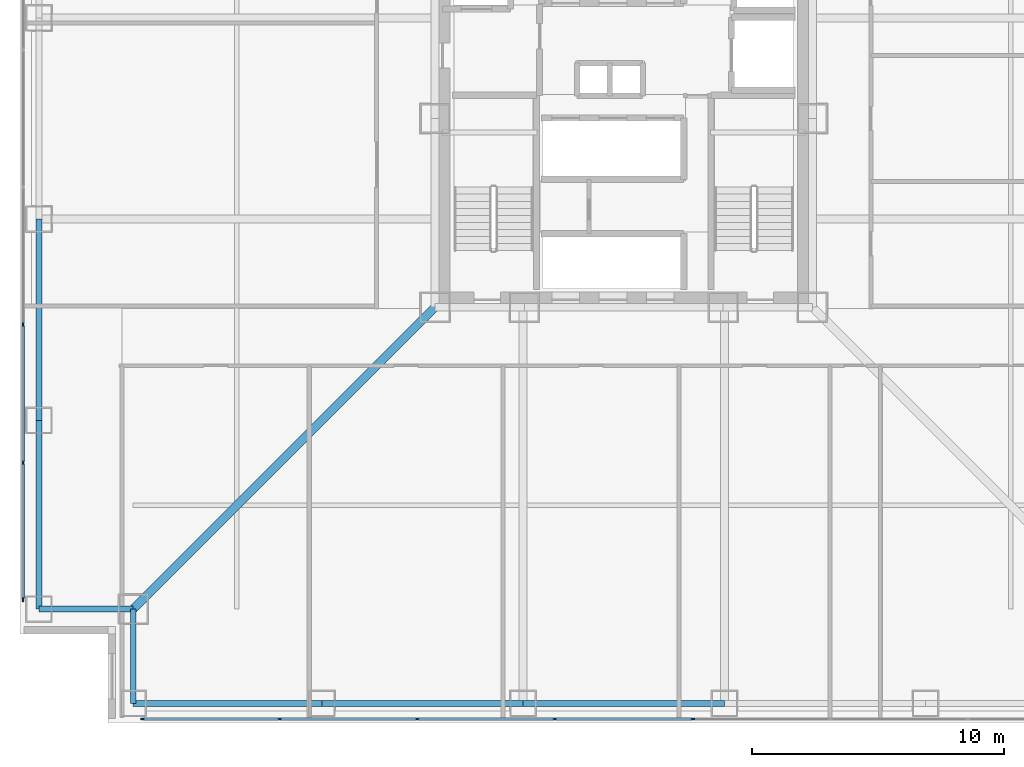
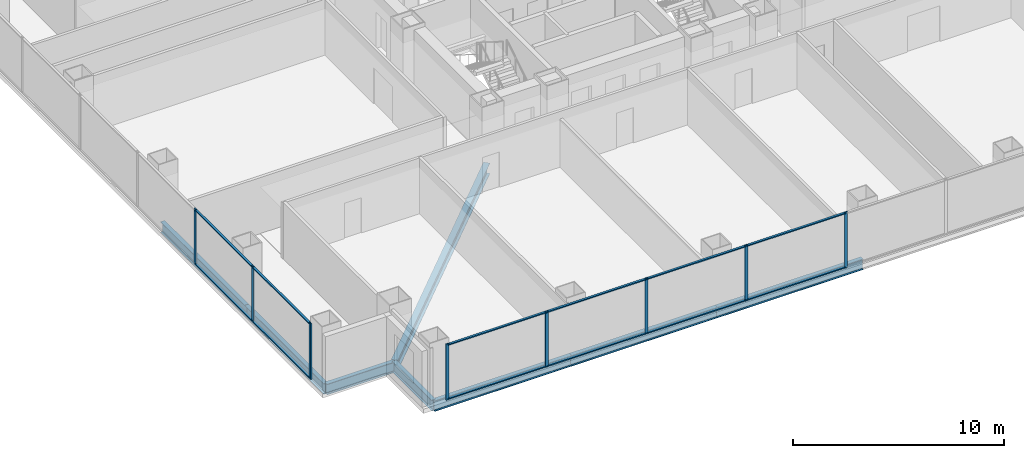
# One storey, part 2 of 19: 20 members, 8 beams, 2 elements without a shape of their own.
"""IFC4 building model written with IfcOpenShell, lengths in metres."""

from ifc_helpers import new_model, si_unit, direction, frame, origin, origin_2d, place, context, subcontext, project, spatial, rectangle, i_section, extrude, material, layer, layer_set, material_profile, profile_set, type_object, element, aggregate, save


model = new_model("IFC4")

# Units and contexts
model_context = context("Model", 3, precision=1e-05, world=origin(), true_north=direction((0.0, 1.0)))
body_context = subcontext(model_context, "Body", "Model", "MODEL_VIEW")
ifc_project = project(units=[si_unit("LENGTHUNIT", "METRE"), si_unit("AREAUNIT", "SQUARE_METRE"), si_unit("VOLUMEUNIT", "CUBIC_METRE"), si_unit("PLANEANGLEUNIT", "RADIAN"), si_unit("MASSUNIT", "GRAM", prefix="KILO")], contexts=[model_context])

# Site, building, storey
site_placement = place(None, origin())
site = spatial("IfcSite", under=ifc_project, at=site_placement, CompositionType="ELEMENT")
building_placement = place(site_placement, origin())
building = spatial("IfcBuilding", under=site, at=building_placement, Name="Trevonay Congress Spire", CompositionType="ELEMENT")
storey_placement = place(building_placement, frame((0.0, 0.0, 41.0)))
storey = spatial("IfcBuildingStorey", under=building, at=storey_placement, Name="L09", CompositionType="ELEMENT", Elevation=41.0)

# Beams
ifc_material_1 = material(Name="Steel ASTM A572 Grade 50", Category="steel")
ifc_material_profile_1 = material_profile(ifc_material_1, i_section(OverallWidth=0.324951171875, OverallDepth=0.615966796875, WebThickness=0.013916015625, FlangeThickness=0.021484375, FilletRadius=0.01806640625, at=origin_2d()), Name="W610x174")
ifc_profile_set_1 = profile_set([ifc_material_profile_1], Name="Steel ASTM A572 Grade 50")
beam_type_1 = type_object("IfcBeamType", Name="BM-GIRD-W610X174", PredefinedType="BEAM", material=ifc_profile_set_1)
beam_placement = place(storey_placement, frame((-7.5, -7.5, -0.55810546875), z_axis=(-0.707106781187, -0.707106781187, 0.0), x_axis=(0.707106781187, -0.707106781187, 0.0)))
element("IfcBeam", 1, at=beam_placement, inside=storey, type_object=beam_type_1, Name="L09 structural beam BM-L09-CDSW", PredefinedType="BEAM", context=body_context, shape_type="SweptSolid", body=[
    extrude(i_section(OverallWidth=0.324951171875, OverallDepth=0.615966796875, WebThickness=0.013916015625, FlangeThickness=0.021484375, FilletRadius=0.01806640625, at=origin_2d()), origin(), (0.0, 0.0, 1.0), 16.970458984375),
])
ifc_material_profile_2 = material_profile(ifc_material_1, i_section(OverallWidth=0.22998046875, OverallDepth=0.616943359375, WebThickness=0.01318359375, FlangeThickness=0.022216796875, FilletRadius=0.01611328125, at=origin_2d()), Name="W610x140")
ifc_profile_set_2 = profile_set([ifc_material_profile_2], Name="Steel ASTM A572 Grade 50")
beam_type_2 = type_object("IfcBeamType", Name="BM-RING-W610X140", PredefinedType="BEAM", material=ifc_profile_set_2)
for number, where, z_axis, x_axis, name in (
    (2, (-19.5, -23.25, -0.55859375), (1.0, 0.0, 0.0), (0.0, 1.0, 0.0), "L09 structural beam BM-L09-PS1"),
    (3, (-23.25, -19.5, -0.55859375), (0.0, 1.0, 0.0), (-1.0, 0.0, 0.0), "L09 structural beam BM-L09-PW1"),
):
    element("IfcBeam", number, at=place(storey_placement, frame(where, z_axis=z_axis, x_axis=x_axis)), inside=storey, type_object=beam_type_2, Name=name, PredefinedType="BEAM", context=body_context, shape_type="SweptSolid", body=[
        extrude(i_section(OverallWidth=0.22998046875, OverallDepth=0.616943359375, WebThickness=0.01318359375, FlangeThickness=0.022216796875, FilletRadius=0.01611328125, at=origin_2d()), origin(), (0.0, 0.0, 1.0), 7.5),
    ])
for number, where, z_axis, x_axis, name in (
    (4, (-12.0, -23.25, -0.55859375), (1.0, 0.0, 0.0), (0.0, 1.0, 0.0), "L09 structural beam BM-L09-PS2"),
    (5, (-23.25, -12.0, -0.55859375), (0.0, 1.0, 0.0), (-1.0, 0.0, 0.0), "L09 structural beam BM-L09-PW2"),
    (6, (-4.0, -23.25, -0.55859375), (1.0, 0.0, 0.0), (0.0, 1.0, 0.0), "L09 structural beam BM-L09-PS3"),
):
    element("IfcBeam", number, at=place(storey_placement, frame(where, z_axis=z_axis, x_axis=x_axis)), inside=storey, type_object=beam_type_2, Name=name, PredefinedType="BEAM", context=body_context, shape_type="SweptSolid", body=[
        extrude(i_section(OverallWidth=0.22998046875, OverallDepth=0.616943359375, WebThickness=0.01318359375, FlangeThickness=0.022216796875, FilletRadius=0.01611328125, at=origin_2d()), origin(), (0.0, 0.0, 1.0), 8.0),
    ])
for number, where, z_axis, x_axis, name in (
    (7, (-19.5, -23.25, -0.55859375), (0.0, 1.0, 0.0), (-1.0, 0.0, 0.0), "L09 structural beam BM-L09-N1SW"),
    (8, (-23.25, -19.5, -0.55859375), (1.0, 0.0, 0.0), (0.0, 1.0, 0.0), "L09 structural beam BM-L09-N2SW"),
):
    element("IfcBeam", number, at=place(storey_placement, frame(where, z_axis=z_axis, x_axis=x_axis)), inside=storey, type_object=beam_type_2, Name=name, PredefinedType="BEAM", context=body_context, shape_type="SweptSolid", body=[
        extrude(i_section(OverallWidth=0.22998046875, OverallDepth=0.616943359375, WebThickness=0.01318359375, FlangeThickness=0.022216796875, FilletRadius=0.01611328125, at=origin_2d()), origin(), (0.0, 0.0, 1.0), 3.75),
    ])

# Curtain wall, members
ifc_material_2 = material(Name="Pale Anodised Aluminium EN AW-6063-T6", Category="aluminium")
ifc_layer = layer(ifc_material_2, 0.179931640625, Name="Pale Anodised Aluminium EN AW-6063-T6")
ifc_layer_set = layer_set([ifc_layer], Name="Pale Anodised Aluminium EN AW-6063-T6")
curtain_wall_type = type_object("IfcCurtainWallType", Name="CW-SYS02-HOTEL-PALE-METAL", PredefinedType="NOTDEFINED", material=ifc_layer_set)
curtain_wall_1_placement = place(storey_placement, origin())
curtain_wall_1 = element("IfcCurtainWall", 9, at=curtain_wall_1_placement, inside=storey, type_object=curtain_wall_type, Name="L09 S unitised curtain wall", PredefinedType="NOTDEFINED")
ifc_material_profile_3 = material_profile(ifc_material_2, rectangle(XDim=0.06005859375, YDim=0.159912109375, at=origin_2d()), Name="CW-MULLION-160-ALUMINIUM")
ifc_profile_set_3 = profile_set([ifc_material_profile_3], Name="Pale Anodised Aluminium EN AW-6063-T6")
member_type_1 = type_object("IfcMemberType", Name="CW-MULLION-160-ALUMINIUM", PredefinedType="MULLION", material=ifc_profile_set_3)
member_1_placement = place(storey_placement, frame((-19.1201171875, -23.8798828125, 0.0), z_axis=(0.0, 0.0, 1.0), x_axis=(0.0, 1.0, 0.0)))
member_1 = element("IfcMember", 10, at=member_1_placement, type_object=member_type_1, Name="CW02 mullion 1", PredefinedType="MULLION", context=body_context, shape_type="SweptSolid", body=[
    extrude(rectangle(XDim=0.06005859375, YDim=0.159912109375, at=origin_2d()), origin(), (0.0, 0.0, 1.0), 3.25),
])
member_2_placement = place(storey_placement, frame((-13.678466796875, -23.8798828125, 0.0), z_axis=(0.0, 0.0, 1.0), x_axis=(0.0, 1.0, 0.0)))
member_2 = element("IfcMember", 11, at=member_2_placement, type_object=member_type_1, Name="CW02 mullion 2", PredefinedType="MULLION", context=body_context, shape_type="SweptSolid", body=[
    extrude(rectangle(XDim=0.06005859375, YDim=0.159912109375, at=origin_2d()), origin(), (0.0, 0.0, 1.0), 3.25),
])
member_3_placement = place(storey_placement, frame((-8.20703125, -23.8798828125, 0.0), z_axis=(0.0, 0.0, 1.0), x_axis=(0.0, 1.0, 0.0)))
member_3 = element("IfcMember", 12, at=member_3_placement, type_object=member_type_1, Name="CW02 mullion 3", PredefinedType="MULLION", context=body_context, shape_type="SweptSolid", body=[
    extrude(rectangle(XDim=0.06005859375, YDim=0.159912109375, at=origin_2d()), origin(), (0.0, 0.0, 1.0), 3.25),
])
member_4_placement = place(storey_placement, frame((-2.735595703125, -23.8798828125, 0.0), z_axis=(0.0, 0.0, 1.0), x_axis=(0.0, 1.0, 0.0)))
member_4 = element("IfcMember", 13, at=member_4_placement, type_object=member_type_1, Name="CW02 mullion 4", PredefinedType="MULLION", context=body_context, shape_type="SweptSolid", body=[
    extrude(rectangle(XDim=0.06005859375, YDim=0.159912109375, at=origin_2d()), origin(), (0.0, 0.0, 1.0), 3.25),
])
member_5_placement = place(storey_placement, frame((2.735595703125, -23.8798828125, 0.0), z_axis=(0.0, 0.0, 1.0), x_axis=(0.0, 1.0, 0.0)))
member_5 = element("IfcMember", 14, at=member_5_placement, type_object=member_type_1, Name="CW02 mullion 5", PredefinedType="MULLION", context=body_context, shape_type="SweptSolid", body=[
    extrude(rectangle(XDim=0.06005859375, YDim=0.159912109375, at=origin_2d()), origin(), (0.0, 0.0, 1.0), 3.25),
])

curtain_wall_2_placement = place(storey_placement, origin())
curtain_wall_2 = element("IfcCurtainWall", 15, at=curtain_wall_2_placement, inside=storey, type_object=curtain_wall_type, Name="L09 W unitised curtain wall", PredefinedType="NOTDEFINED")
member_6_placement = place(storey_placement, frame((-23.8798828125, -19.1201171875, 0.0), z_axis=(0.0, 0.0, 1.0), x_axis=(-1.0, 0.0, 0.0)))
member_6 = element("IfcMember", 16, at=member_6_placement, type_object=member_type_1, Name="CW02 mullion 1", PredefinedType="MULLION", context=body_context, shape_type="SweptSolid", body=[
    extrude(rectangle(XDim=0.06005859375, YDim=0.159912109375, at=origin_2d()), origin(), (0.0, 0.0, 1.0), 3.25),
])
member_7_placement = place(storey_placement, frame((-23.8798828125, -13.678466796875, 0.0), z_axis=(0.0, 0.0, 1.0), x_axis=(-1.0, 0.0, 0.0)))
member_7 = element("IfcMember", 17, at=member_7_placement, type_object=member_type_1, Name="CW02 mullion 2", PredefinedType="MULLION", context=body_context, shape_type="SweptSolid", body=[
    extrude(rectangle(XDim=0.06005859375, YDim=0.159912109375, at=origin_2d()), origin(), (0.0, 0.0, 1.0), 3.25),
])
member_8_placement = place(storey_placement, frame((-23.8798828125, -8.20703125, 0.0), z_axis=(0.0, 0.0, 1.0), x_axis=(-1.0, 0.0, 0.0)))
member_8 = element("IfcMember", 18, at=member_8_placement, type_object=member_type_1, Name="CW02 mullion 3", PredefinedType="MULLION", context=body_context, shape_type="SweptSolid", body=[
    extrude(rectangle(XDim=0.06005859375, YDim=0.159912109375, at=origin_2d()), origin(), (0.0, 0.0, 1.0), 3.25),
])

# Member
ifc_material_profile_4 = material_profile(ifc_material_2, rectangle(XDim=0.1201171875, YDim=0.06005859375, at=origin_2d()), Name="CW-TRANSOM-120-ALUMINIUM")
ifc_profile_set_4 = profile_set([ifc_material_profile_4], Name="Pale Anodised Aluminium EN AW-6063-T6")
member_type_2 = type_object("IfcMemberType", Name="CW-TRANSOM-120-ALUMINIUM", PredefinedType="USERDEFINED", material=ifc_profile_set_4)
member_9_placement = place(storey_placement, frame((-19.090087890625, -23.8798828125, 0.06005859375), z_axis=(1.0, 0.0, 0.0), x_axis=(0.0, 1.0, 0.0)))
member_9 = element("IfcMember", 19, at=member_9_placement, type_object=member_type_2, Name="CW02 transom 1.1", ObjectType="TRANSOM", PredefinedType="USERDEFINED", context=body_context, shape_type="SweptSolid", body=[
    extrude(rectangle(XDim=0.1201171875, YDim=0.06005859375, at=origin_2d()), origin(), (0.0, 0.0, 1.0), 5.381591796875),
])

member_10_placement = place(storey_placement, frame((-19.090087890625, -23.8798828125, 3.18994140625), z_axis=(1.0, 0.0, 0.0), x_axis=(0.0, 1.0, 0.0)))
member_10 = element("IfcMember", 20, at=member_10_placement, type_object=member_type_2, Name="CW02 transom 1.2", ObjectType="TRANSOM", PredefinedType="USERDEFINED", context=body_context, shape_type="SweptSolid", body=[
    extrude(rectangle(XDim=0.1201171875, YDim=0.06005859375, at=origin_2d()), origin(), (0.0, 0.0, 1.0), 5.381591796875),
])

member_11_placement = place(storey_placement, frame((-13.648681640625, -23.8798828125, 0.06005859375), z_axis=(1.0, 0.0, 0.0), x_axis=(0.0, 1.0, 0.0)))
member_11 = element("IfcMember", 21, at=member_11_placement, type_object=member_type_2, Name="CW02 transom 2.1", ObjectType="TRANSOM", PredefinedType="USERDEFINED", context=body_context, shape_type="SweptSolid", body=[
    extrude(rectangle(XDim=0.1201171875, YDim=0.06005859375, at=origin_2d()), origin(), (0.0, 0.0, 1.0), 5.41162109375),
])

member_12_placement = place(storey_placement, frame((-13.648681640625, -23.8798828125, 3.18994140625), z_axis=(1.0, 0.0, 0.0), x_axis=(0.0, 1.0, 0.0)))
member_12 = element("IfcMember", 22, at=member_12_placement, type_object=member_type_2, Name="CW02 transom 2.2", ObjectType="TRANSOM", PredefinedType="USERDEFINED", context=body_context, shape_type="SweptSolid", body=[
    extrude(rectangle(XDim=0.1201171875, YDim=0.06005859375, at=origin_2d()), origin(), (0.0, 0.0, 1.0), 5.41162109375),
])

member_13_placement = place(storey_placement, frame((-8.17724609375, -23.8798828125, 0.06005859375), z_axis=(1.0, 0.0, 0.0), x_axis=(0.0, 1.0, 0.0)))
member_13 = element("IfcMember", 23, at=member_13_placement, type_object=member_type_2, Name="CW02 transom 3.1", ObjectType="TRANSOM", PredefinedType="USERDEFINED", context=body_context, shape_type="SweptSolid", body=[
    extrude(rectangle(XDim=0.1201171875, YDim=0.06005859375, at=origin_2d()), origin(), (0.0, 0.0, 1.0), 5.41162109375),
])

member_14_placement = place(storey_placement, frame((-8.17724609375, -23.8798828125, 3.18994140625), z_axis=(1.0, 0.0, 0.0), x_axis=(0.0, 1.0, 0.0)))
member_14 = element("IfcMember", 24, at=member_14_placement, type_object=member_type_2, Name="CW02 transom 3.2", ObjectType="TRANSOM", PredefinedType="USERDEFINED", context=body_context, shape_type="SweptSolid", body=[
    extrude(rectangle(XDim=0.1201171875, YDim=0.06005859375, at=origin_2d()), origin(), (0.0, 0.0, 1.0), 5.41162109375),
])

member_15_placement = place(storey_placement, frame((-2.705810546875, -23.8798828125, 0.06005859375), z_axis=(1.0, 0.0, 0.0), x_axis=(0.0, 1.0, 0.0)))
member_15 = element("IfcMember", 25, at=member_15_placement, type_object=member_type_2, Name="CW02 transom 4.1", ObjectType="TRANSOM", PredefinedType="USERDEFINED", context=body_context, shape_type="SweptSolid", body=[
    extrude(rectangle(XDim=0.1201171875, YDim=0.06005859375, at=origin_2d()), origin(), (0.0, 0.0, 1.0), 5.41162109375),
])

member_16_placement = place(storey_placement, frame((-2.705810546875, -23.8798828125, 3.18994140625), z_axis=(1.0, 0.0, 0.0), x_axis=(0.0, 1.0, 0.0)))
member_16 = element("IfcMember", 26, at=member_16_placement, type_object=member_type_2, Name="CW02 transom 4.2", ObjectType="TRANSOM", PredefinedType="USERDEFINED", context=body_context, shape_type="SweptSolid", body=[
    extrude(rectangle(XDim=0.1201171875, YDim=0.06005859375, at=origin_2d()), origin(), (0.0, 0.0, 1.0), 5.41162109375),
])

aggregate(curtain_wall_1, [member_1, member_2, member_3, member_4, member_5, member_9, member_10, member_11, member_12, member_13, member_14, member_15, member_16])

member_17_placement = place(storey_placement, frame((-23.8798828125, -19.090087890625, 0.06005859375), z_axis=(0.0, 1.0, 0.0), x_axis=(-1.0, 0.0, 0.0)))
member_17 = element("IfcMember", 27, at=member_17_placement, type_object=member_type_2, Name="CW02 transom 1.1", ObjectType="TRANSOM", PredefinedType="USERDEFINED", context=body_context, shape_type="SweptSolid", body=[
    extrude(rectangle(XDim=0.1201171875, YDim=0.06005859375, at=origin_2d()), origin(), (0.0, 0.0, 1.0), 5.381591796875),
])

member_18_placement = place(storey_placement, frame((-23.8798828125, -19.090087890625, 3.18994140625), z_axis=(0.0, 1.0, 0.0), x_axis=(-1.0, 0.0, 0.0)))
member_18 = element("IfcMember", 28, at=member_18_placement, type_object=member_type_2, Name="CW02 transom 1.2", ObjectType="TRANSOM", PredefinedType="USERDEFINED", context=body_context, shape_type="SweptSolid", body=[
    extrude(rectangle(XDim=0.1201171875, YDim=0.06005859375, at=origin_2d()), origin(), (0.0, 0.0, 1.0), 5.381591796875),
])

member_19_placement = place(storey_placement, frame((-23.8798828125, -13.648681640625, 0.06005859375), z_axis=(0.0, 1.0, 0.0), x_axis=(-1.0, 0.0, 0.0)))
member_19 = element("IfcMember", 29, at=member_19_placement, type_object=member_type_2, Name="CW02 transom 2.1", ObjectType="TRANSOM", PredefinedType="USERDEFINED", context=body_context, shape_type="SweptSolid", body=[
    extrude(rectangle(XDim=0.1201171875, YDim=0.06005859375, at=origin_2d()), origin(), (0.0, 0.0, 1.0), 5.41162109375),
])

member_20_placement = place(storey_placement, frame((-23.8798828125, -13.648681640625, 3.18994140625), z_axis=(0.0, 1.0, 0.0), x_axis=(-1.0, 0.0, 0.0)))
member_20 = element("IfcMember", 30, at=member_20_placement, type_object=member_type_2, Name="CW02 transom 2.2", ObjectType="TRANSOM", PredefinedType="USERDEFINED", context=body_context, shape_type="SweptSolid", body=[
    extrude(rectangle(XDim=0.1201171875, YDim=0.06005859375, at=origin_2d()), origin(), (0.0, 0.0, 1.0), 5.41162109375),
])

aggregate(curtain_wall_2, [member_6, member_7, member_8, member_17, member_18, member_19, member_20])

save(model, "model.ifc")
